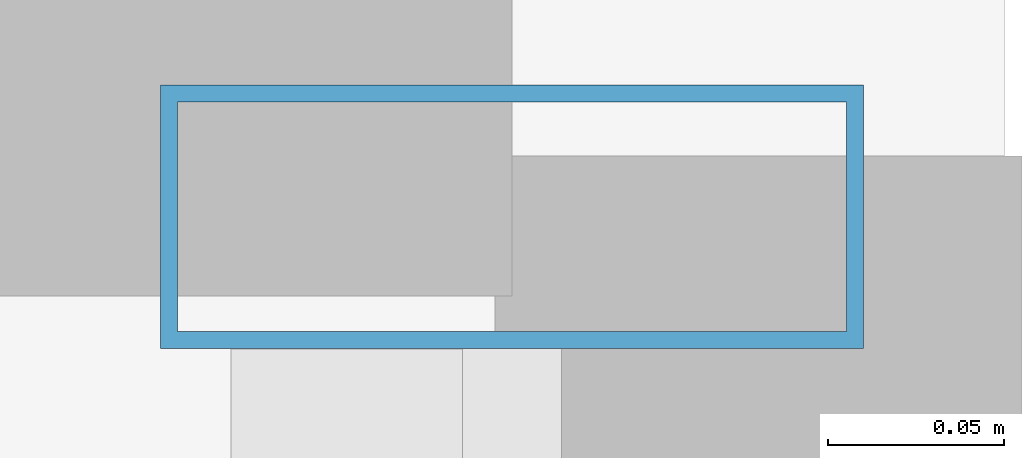
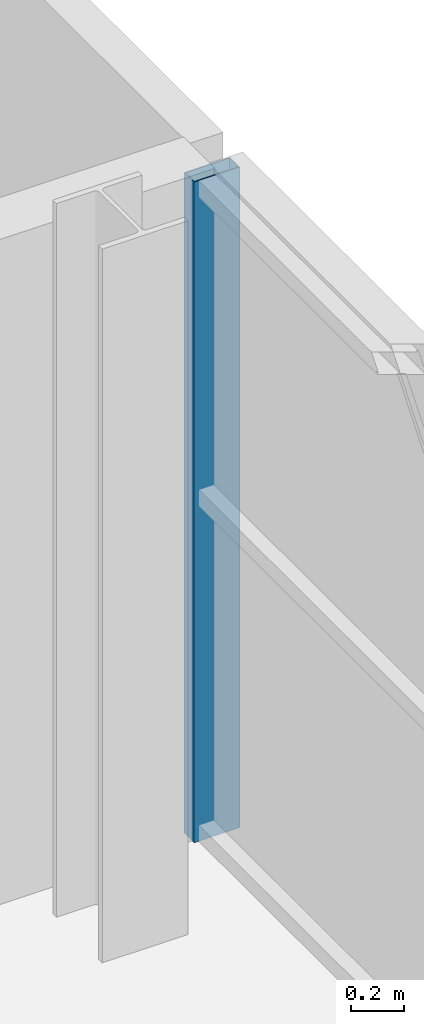
# One storey, part 13 of 22: 1 member, 1 element without a shape of its own.
"""IFC4 building model written with IfcOpenShell, lengths in metres."""

from ifc_helpers import new_model, si_unit, direction, frame, origin, origin_2d, place, context, subcontext, project, spatial, hollow_rectangle, extrude, source, transform, mapped, material, layer, layer_set, material_profile, profile_set, type_object, element, aggregate, save


model = new_model("IFC4")

# Units and contexts
model_context = context("Model", 3, precision=1e-05, world=origin(), true_north=direction((0.0, 1.0)))
body_context = subcontext(model_context, "Body", "Model", "MODEL_VIEW")
ifc_project = project(units=[si_unit("LENGTHUNIT", "METRE"), si_unit("AREAUNIT", "SQUARE_METRE"), si_unit("VOLUMEUNIT", "CUBIC_METRE"), si_unit("PLANEANGLEUNIT", "RADIAN"), si_unit("MASSUNIT", "GRAM", prefix="KILO")], contexts=[model_context])

# Site, building, storey
site_placement = place(None, origin())
site = spatial("IfcSite", under=ifc_project, at=site_placement, CompositionType="ELEMENT")
building_placement = place(site_placement, origin())
building = spatial("IfcBuilding", under=site, at=building_placement, Name="Zarnakvel Exchange Tower", CompositionType="ELEMENT")
storey_placement = place(building_placement, frame((0.0, 0.0, 245.199951171875)))
storey = spatial("IfcBuildingStorey", under=building, at=storey_placement, Name="L69", CompositionType="ELEMENT", Elevation=245.199951171875)

# Curtain wall, member
ifc_material = material(Name="Architectural Bronze Anodised Aluminium", Category="aluminium")
ifc_layer = layer(ifc_material, 0.199951171875)
ifc_layer_set = layer_set([ifc_layer], Name="Architectural Bronze Anodised Aluminium")
curtain_wall_type = type_object("IfcCurtainWallType", Name="CW-04", PredefinedType="NOTDEFINED", material=ifc_layer_set)
curtain_wall_placement = place(storey_placement, origin())
curtain_wall = element("IfcCurtainWall", 1, at=curtain_wall_placement, inside=storey, type_object=curtain_wall_type, Name="L69 Curtain Wall CW-L69-EN (CW-04)", PredefinedType="NOTDEFINED")
ifc_material_profile = material_profile(ifc_material, hollow_rectangle(XDim=0.199951171875, YDim=0.074951171875, WallThickness=0.0048828125, at=origin_2d()))
ifc_profile_set = profile_set([ifc_material_profile], Name="Architectural Bronze Anodised Aluminium")
member_type = type_object("IfcMemberType", Name="CWM-04", PredefinedType="MULLION", material=ifc_profile_set)
shared_shape = source(origin(), body_context, "Body", "SweptSolid", [
    extrude(hollow_rectangle(XDim=0.199951171875, YDim=0.074951171875, WallThickness=0.0048828125, at=origin_2d()), origin(), (0.0, 0.0, 1.0), 3.054931640625),
])
member_placement = place(storey_placement, frame((23.4599609375, 13.862548828125, 0.0), z_axis=(0.0, 0.0, 1.0), x_axis=(-1.0, 0.0, 0.0)))
member = element("IfcMember", 2, at=member_placement, type_object=member_type, Name="CW-04 mullion 3", PredefinedType="MULLION", context=body_context, shape_type="MappedRepresentation", body=[
    mapped(shared_shape, transform((0.0, 0.0, 0.0), x_axis=(1.0, 0.0, 0.0), y_axis=(0.0, 1.0, 0.0), z_axis=(0.0, 0.0, 1.0), scale=1.0)),
])
aggregate(curtain_wall, [member])

save(model, "model.ifc")
